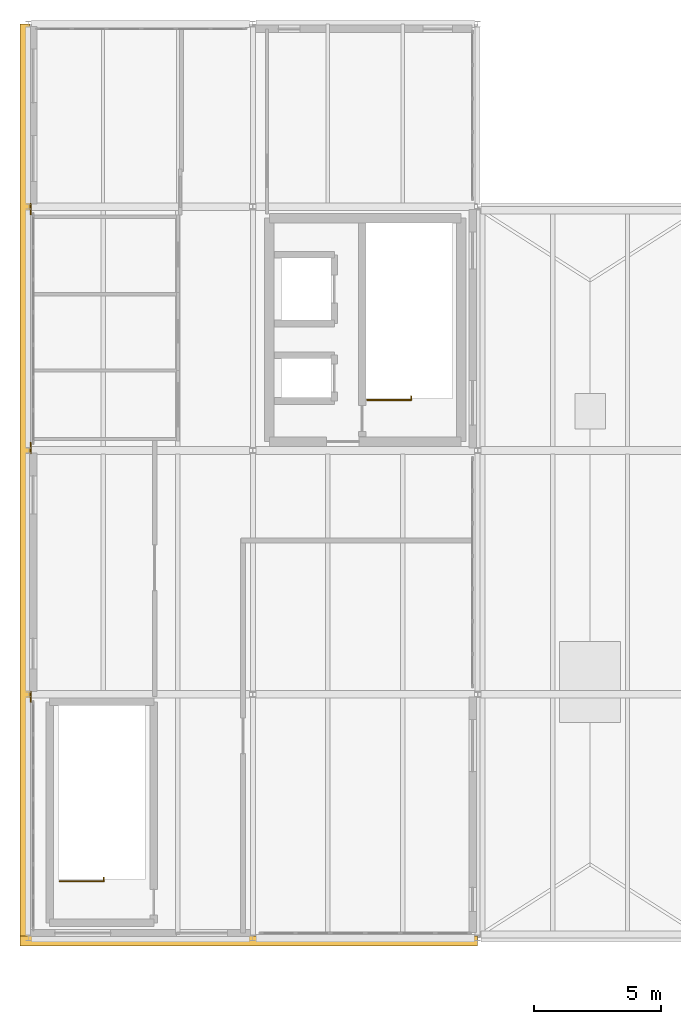
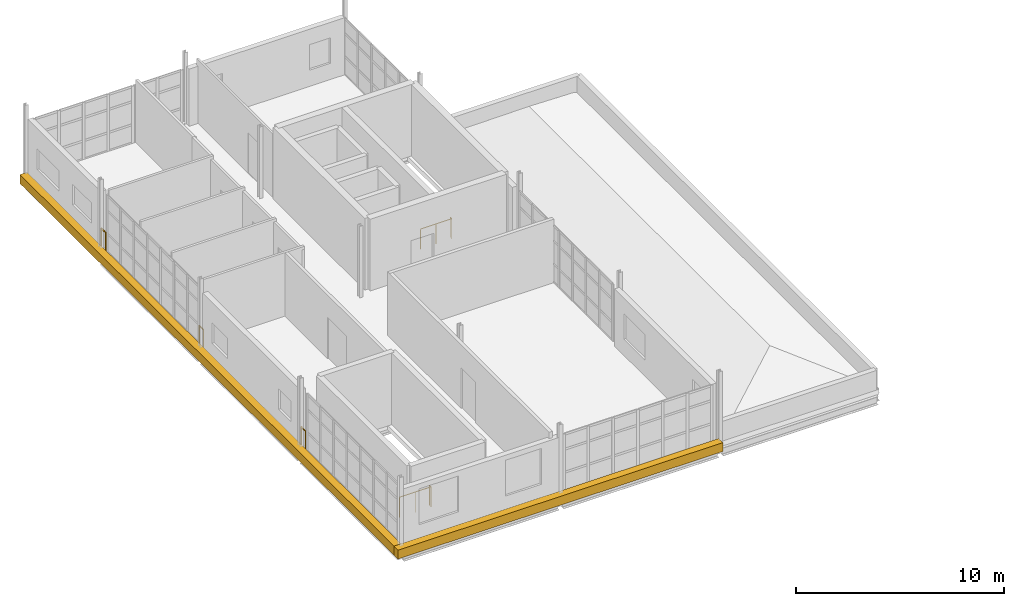
# One storey, part 16 of 16: 5 railings, 2 coverings.
"""IFC4 building model written with IfcOpenShell, lengths in metres."""

from ifc_helpers import new_model, si_unit, direction, frame, origin, origin_2d, place, context, subcontext, project, spatial, polyline, circle, outline, extrude, material, layer, layer_set, type_object, element, save


model = new_model("IFC4")

# Units and contexts
model_context = context("Model", 3, precision=1e-05, world=origin(), true_north=direction((0.0, 1.0)))
body_context = subcontext(model_context, "Body", "Model", "MODEL_VIEW")
ifc_project = project(units=[si_unit("LENGTHUNIT", "METRE"), si_unit("AREAUNIT", "SQUARE_METRE"), si_unit("VOLUMEUNIT", "CUBIC_METRE"), si_unit("PLANEANGLEUNIT", "RADIAN"), si_unit("MASSUNIT", "GRAM", prefix="KILO")], contexts=[model_context])

# Site, building, storey
site_placement = place(None, origin())
site = spatial("IfcSite", under=ifc_project, at=site_placement, CompositionType="ELEMENT")
building_placement = place(site_placement, origin())
building = spatial("IfcBuilding", under=site, at=building_placement, Name="Yeouljin Market Hall", CompositionType="ELEMENT")
storey_placement = place(building_placement, frame((0.0, 0.0, 19.199951171875)))
storey = spatial("IfcBuildingStorey", under=building, at=storey_placement, Name="L04", CompositionType="ELEMENT", Elevation=19.199951171875)

# Coverings
ifc_material_1 = material(Name="Clinker Brick Masonry F2-S2", Category="masonry")
ifc_layer = layer(ifc_material_1, 0.360107421875)
ifc_layer_set = layer_set([ifc_layer], Name="Clinker Brick Masonry F2-S2")
covering_type = type_object("IfcCoveringType", Name="Covering_Clinker_SpandrelHood", PredefinedType="CLADDING", material=ifc_layer_set)
covering_1_placement = place(storey_placement, frame((0.0, 0.0, -0.349853515625)))
element("IfcCovering", 1, at=covering_1_placement, inside=storey, type_object=covering_type, Name="Corbelled brick spandrel hood SW-13", PredefinedType="CLADDING", context=body_context, shape_type="SweptSolid", body=[
    extrude(outline(polyline([(-0.320068359375, -0.320068359375), (17.699951171875, -0.320068359375), (17.699951171875, 0.080078125), (-0.320068359375, 0.080078125), (-0.320068359375, -0.320068359375)])), origin(), (0.0, 0.0, 1.0), 0.52001953125),
])
covering_2_placement = place(storey_placement, frame((0.0, 0.0, -0.349853515625)))
element("IfcCovering", 2, at=covering_2_placement, inside=storey, type_object=covering_type, Name="Corbelled brick spandrel hood WW-14", PredefinedType="CLADDING", context=body_context, shape_type="SweptSolid", body=[
    extrude(outline(polyline([(-0.320068359375, 0.0), (0.080078125, 0.0), (0.080078125, 36.0), (-0.320068359375, 36.0), (-0.320068359375, 0.0)])), origin(), (0.0, 0.0, 1.0), 0.52001953125),
])

# Railings
ifc_material_2 = material(Name="Wrought Iron and Bronze Gallery Balustrade")
railing_type_1 = type_object("IfcRailingType", Name="Railing_AtriumBalustrade_1200", PredefinedType="BALUSTRADE", material=ifc_material_2)
for number, where, name in (
    (3, (0.10009765625, 9.300048828125, 0.0), "Gallery & deck edge balustrade L04-282"),
    (4, (0.10009765625, 19.093994140625, 0.0), "Gallery & deck edge balustrade L04-283"),
    (5, (0.10009765625, 28.5, 0.0), "Gallery & deck edge balustrade L04-284"),
):
    element("IfcRailing", number, at=place(storey_placement, frame(where)), inside=storey, type_object=railing_type_1, Name=name, PredefinedType="BALUSTRADE", context=body_context, shape_type="SweptSolid", body=[
        extrude(circle(Radius=0.02392578125, at=origin_2d()), frame((0.0, 0.0, 1.17578125), z_axis=(0.0, 1.0, 0.0), x_axis=(-1.0, 0.0, 0.0)), (0.0, 0.0, 1.0), 0.406005859375),
        extrude(circle(Radius=0.02099609375, at=origin_2d()), origin(), (0.0, 0.0, 1.0), 1.15185546875),
        extrude(circle(Radius=0.02099609375, at=origin_2d()), frame((0.0, 0.406005859375, 0.0)), (0.0, 0.0, 1.0), 1.15185546875),
    ])
ifc_material_3 = material(Name="Painted Steel Stair Guardrail", Category="steel")
railing_type_2 = type_object("IfcRailingType", Name="Railing_StairGuard_1200", PredefinedType="GUARDRAIL", material=ifc_material_3)
railing_1_placement = place(storey_placement, frame((13.35009765625, 21.18994140625, 0.0)))
element("IfcRailing", 6, at=railing_1_placement, inside=storey, type_object=railing_type_2, Name="Stair ST-C1-L03 top-floor well guardrail", PredefinedType="GUARDRAIL", context=body_context, shape_type="SweptSolid", body=[
    extrude(circle(Radius=0.02392578125, at=origin_2d()), frame((0.0, 0.0, 1.17578125), z_axis=(1.0, 0.0, 0.0), x_axis=(0.0, 1.0, 0.0)), (0.0, 0.0, 1.0), 1.72998046875),
    extrude(circle(Radius=0.02392578125, at=origin_2d()), frame((1.72998046875, 0.0, 1.17578125), z_axis=(0.0, 1.0, 0.0), x_axis=(-1.0, 0.0, 0.0)), (0.0, 0.0, 1.0), 0.14013671875),
    extrude(circle(Radius=0.02099609375, at=origin_2d()), origin(), (0.0, 0.0, 1.0), 1.15185546875),
    extrude(circle(Radius=0.02099609375, at=origin_2d()), frame((0.864990234375, 0.0, 0.0)), (0.0, 0.0, 1.0), 1.15185546875),
    extrude(circle(Radius=0.02099609375, at=origin_2d()), frame((1.72998046875, 0.0, 0.0)), (0.0, 0.0, 1.0), 1.15185546875),
    extrude(circle(Radius=0.02099609375, at=origin_2d()), frame((1.72998046875, 0.14013671875, 0.0)), (0.0, 0.0, 1.0), 1.15185546875),
])
railing_2_placement = place(storey_placement, frame((1.25, 2.239990234375, 0.0)))
element("IfcRailing", 7, at=railing_2_placement, inside=storey, type_object=railing_type_2, Name="Stair ST-S7-L03 top-floor well guardrail", PredefinedType="GUARDRAIL", context=body_context, shape_type="SweptSolid", body=[
    extrude(circle(Radius=0.02392578125, at=origin_2d()), frame((0.0, 0.0, 1.17578125), z_axis=(1.0, 0.0, 0.0), x_axis=(0.0, 1.0, 0.0)), (0.0, 0.0, 1.0), 1.72998046875),
    extrude(circle(Radius=0.02392578125, at=origin_2d()), frame((1.72998046875, 0.0, 1.17578125), z_axis=(0.0, 1.0, 0.0), x_axis=(-1.0, 0.0, 0.0)), (0.0, 0.0, 1.0), 0.139892578125),
    extrude(circle(Radius=0.02099609375, at=origin_2d()), origin(), (0.0, 0.0, 1.0), 1.15185546875),
    extrude(circle(Radius=0.02099609375, at=origin_2d()), frame((0.864990234375, 0.0, 0.0)), (0.0, 0.0, 1.0), 1.15185546875),
    extrude(circle(Radius=0.02099609375, at=origin_2d()), frame((1.72998046875, 0.0, 0.0)), (0.0, 0.0, 1.0), 1.15185546875),
    extrude(circle(Radius=0.02099609375, at=origin_2d()), frame((1.72998046875, 0.139892578125, 0.0)), (0.0, 0.0, 1.0), 1.15185546875),
])

save(model, "model.ifc")
